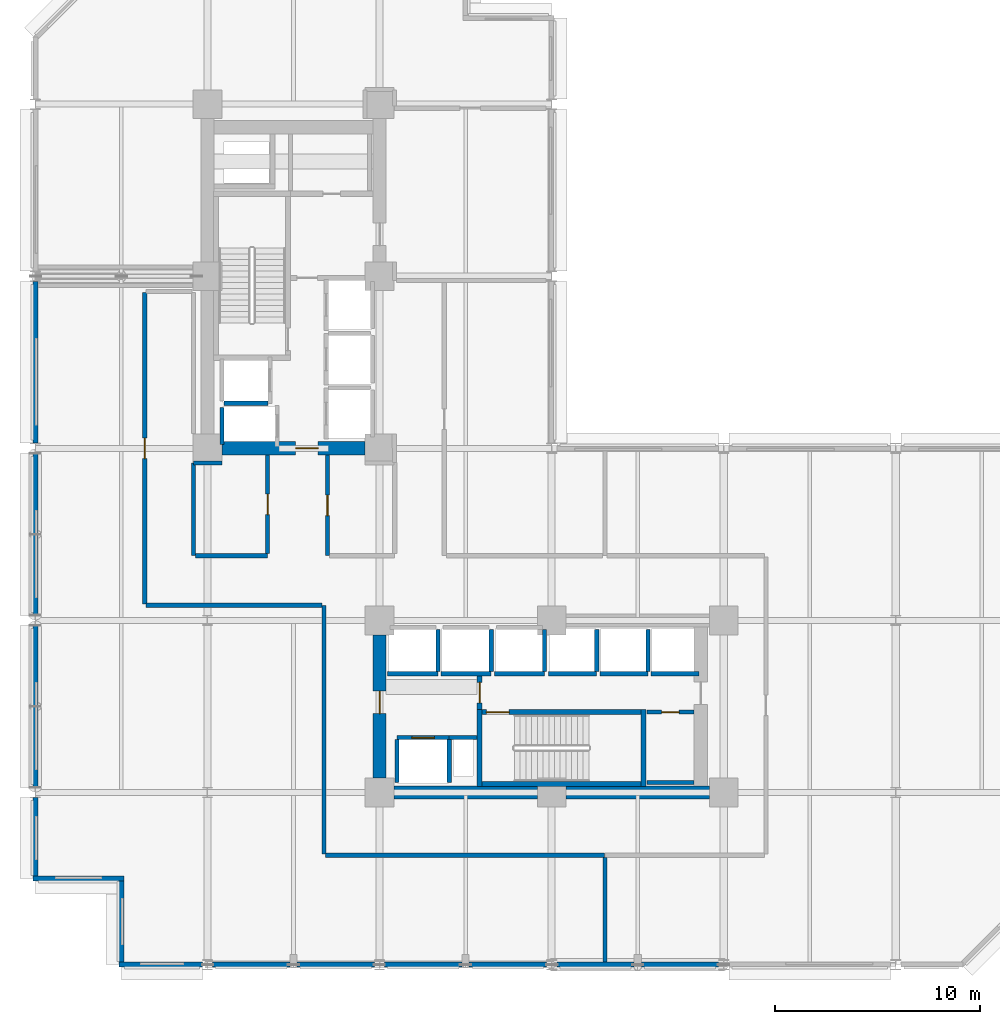
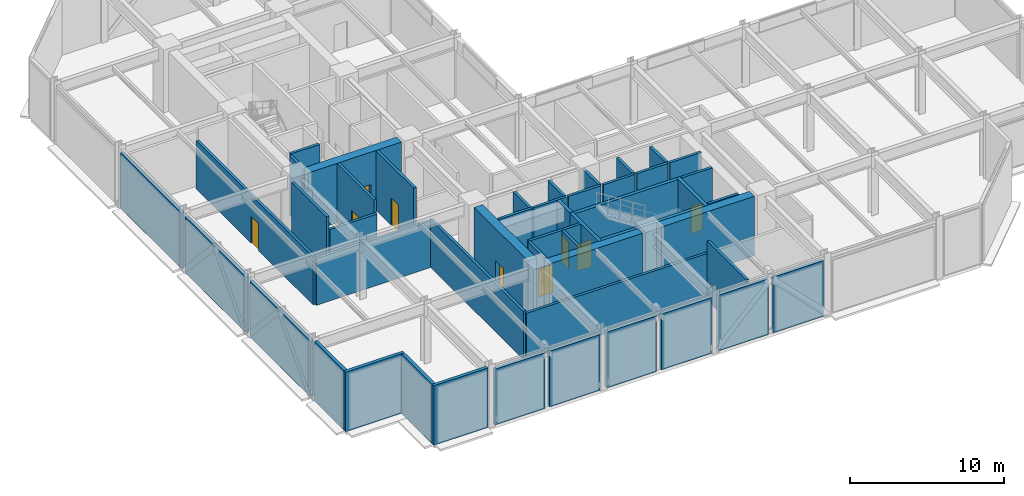
# One storey, part 7 of 13: 51 walls, 9 doors, 9 openings.
"""IFC4 building model written with IfcOpenShell, lengths in metres."""

from ifc_helpers import new_model, si_unit, direction, frame, frame_2d, origin, place, context, subcontext, project, spatial, rectangle, extrude, material, layer, layer_set, type_object, element, fill, save


model = new_model("IFC4")

# Units and contexts
model_context = context("Model", 3, precision=1e-05, world=origin(), true_north=direction((0.0, 1.0)))
body_context = subcontext(model_context, "Body", "Model", "MODEL_VIEW")
ifc_project = project(units=[si_unit("LENGTHUNIT", "METRE"), si_unit("AREAUNIT", "SQUARE_METRE"), si_unit("VOLUMEUNIT", "CUBIC_METRE"), si_unit("PLANEANGLEUNIT", "RADIAN"), si_unit("MASSUNIT", "GRAM", prefix="KILO")], contexts=[model_context])

# Site, building, storey
site_placement = place(None, origin())
site = spatial("IfcSite", under=ifc_project, at=site_placement, CompositionType="ELEMENT")
building_placement = place(site_placement, origin())
building = spatial("IfcBuilding", under=site, at=building_placement, Name="Nerrivon Quay Data Exchange", CompositionType="ELEMENT")
storey_placement = place(building_placement, frame((0.0, 0.0, 79.39990234375)))
storey = spatial("IfcBuildingStorey", under=building, at=storey_placement, Name="L18", CompositionType="ELEMENT", Elevation=79.39990234375)

# Walls
ifc_material_1 = material(Name="Architectural terracotta precast concrete N50 (50 MPa)", Category="masonry")
ifc_layer_1 = layer(ifc_material_1, 0.239990234375)
ifc_layer_set_1 = layer_set([ifc_layer_1], Name="Architectural terracotta precast concrete N50 (50 MPa)")
wall_type_1 = type_object("IfcWallType", Name="EW-PREC-240", PredefinedType="STANDARD", material=ifc_layer_set_1)
for number, where, z_axis, x_axis, name in (
    (1, (33.35009765625, 0.0, 0.0), (0.0, 0.0, 1.0), (-1.0, 0.0, 0.0), "L18 Plant Enclosure Wall 8"),
    (2, (29.22509765625, 0.0, 0.0), (0.0, 0.0, 1.0), (-1.0, 0.0, 0.0), "L18 Plant Enclosure Wall 9"),
):
    element("IfcWall", number, at=place(storey_placement, frame(where, z_axis=z_axis, x_axis=x_axis)), inside=storey, type_object=wall_type_1, Name=name, PredefinedType="STANDARD", context=body_context, shape_type="SweptSolid", body=[
        extrude(rectangle(XDim=3.775146484375, YDim=0.239990234375, at=frame_2d((1.8876953125, 0.0))), origin(), (0.0, 0.0, 1.0), 4.425048828125),
    ])
for number, where, z_axis, x_axis, name in (
    (3, (24.949951171875, 0.0, 0.0), (0.0, 0.0, 1.0), (-1.0, 0.0, 0.0), "L18 Plant Enclosure Wall 10"),
    (4, (20.824951171875, 0.0, 0.0), (0.0, 0.0, 1.0), (-1.0, 0.0, 0.0), "L18 Plant Enclosure Wall 11"),
):
    element("IfcWall", number, at=place(storey_placement, frame(where, z_axis=z_axis, x_axis=x_axis)), inside=storey, type_object=wall_type_1, Name=name, PredefinedType="STANDARD", context=body_context, shape_type="SweptSolid", body=[
        extrude(rectangle(XDim=3.77490234375, YDim=0.239990234375, at=frame_2d((1.887451171875, 0.0))), origin(), (0.0, 0.0, 1.0), 4.425048828125),
    ])
for number, where, z_axis, x_axis, name in (
    (5, (16.550048828125, 0.0, 0.0), (0.0, 0.0, 1.0), (-1.0, 0.0, 0.0), "L18 Plant Enclosure Wall 12"),
    (6, (12.425048828125, 0.0, 0.0), (0.0, 0.0, 1.0), (-1.0, 0.0, 0.0), "L18 Plant Enclosure Wall 13"),
):
    element("IfcWall", number, at=place(storey_placement, frame(where, z_axis=z_axis, x_axis=x_axis)), inside=storey, type_object=wall_type_1, Name=name, PredefinedType="STANDARD", context=body_context, shape_type="SweptSolid", body=[
        extrude(rectangle(XDim=3.775146484375, YDim=0.239990234375, at=frame_2d((1.8876953125, 0.0))), origin(), (0.0, 0.0, 1.0), 4.425048828125),
    ])
wall_1_placement = place(storey_placement, frame((8.14990234375, 0.0, 0.0), z_axis=(0.0, 0.0, 1.0), x_axis=(-1.0, 0.0, 0.0)))
element("IfcWall", 7, at=wall_1_placement, inside=storey, type_object=wall_type_1, Name="L18 Plant Enclosure Wall 14", PredefinedType="STANDARD", context=body_context, shape_type="SweptSolid", body=[
    extrude(rectangle(XDim=4.06982421875, YDim=0.239990234375, at=frame_2d((2.034912109375, 0.0))), origin(), (0.0, 0.0, 1.0), 4.72509765625),
])
wall_2_placement = place(storey_placement, frame((4.199951171875, 0.1201171875, 0.0), z_axis=(0.0, 0.0, 1.0), x_axis=(0.0, 1.0, 0.0)))
element("IfcWall", 8, at=wall_2_placement, inside=storey, type_object=wall_type_1, Name="L18 Plant Enclosure Wall 15", PredefinedType="STANDARD", context=body_context, shape_type="SweptSolid", body=[
    extrude(rectangle(XDim=3.9599609375, YDim=0.239990234375, at=frame_2d((1.97998046875, 0.0))), origin(), (0.0, 0.0, 1.0), 4.72509765625),
])
wall_3_placement = place(storey_placement, frame((4.320068359375, 4.199951171875, 0.0), z_axis=(0.0, 0.0, 1.0), x_axis=(-1.0, 0.0, 0.0)))
element("IfcWall", 9, at=wall_3_placement, inside=storey, type_object=wall_type_1, Name="L18 Plant Enclosure Wall 16", PredefinedType="STANDARD", context=body_context, shape_type="SweptSolid", body=[
    extrude(rectangle(XDim=4.440185546875, YDim=0.239990234375, at=frame_2d((2.22021484375, 0.0))), origin(), (0.0, 0.0, 1.0), 4.72509765625),
])
wall_4_placement = place(storey_placement, frame((0.0, 4.320068359375, 0.0), z_axis=(0.0, 0.0, 1.0), x_axis=(0.0, 1.0, 0.0)))
element("IfcWall", 10, at=wall_4_placement, inside=storey, type_object=wall_type_1, Name="L18 Plant Enclosure Wall 17", PredefinedType="STANDARD", context=body_context, shape_type="SweptSolid", body=[
    extrude(rectangle(XDim=3.829833984375, YDim=0.239990234375, at=frame_2d((1.9150390625, 0.0))), origin(), (0.0, 0.0, 1.0), 4.72509765625),
])
wall_5_placement = place(storey_placement, frame((0.0, 8.64990234375, 0.0), z_axis=(0.0, 0.0, 1.0), x_axis=(0.0, 1.0, 0.0)))
element("IfcWall", 11, at=wall_5_placement, inside=storey, type_object=wall_type_1, Name="L18 Plant Enclosure Wall 18", PredefinedType="STANDARD", context=body_context, shape_type="SweptSolid", body=[
    extrude(rectangle(XDim=7.900146484375, YDim=0.239990234375, at=frame_2d((3.9501953125, 0.0))), origin(), (0.0, 0.0, 1.0), 4.425048828125),
])
wall_6_placement = place(storey_placement, frame((0.0, 17.050048828125, 0.0), z_axis=(0.0, 0.0, 1.0), x_axis=(0.0, 1.0, 0.0)))
element("IfcWall", 12, at=wall_6_placement, inside=storey, type_object=wall_type_1, Name="L18 Plant Enclosure Wall 19", PredefinedType="STANDARD", context=body_context, shape_type="SweptSolid", body=[
    extrude(rectangle(XDim=7.89990234375, YDim=0.239990234375, at=frame_2d((3.949951171875, 0.0))), origin(), (0.0, 0.0, 1.0), 4.425048828125),
])
wall_7_placement = place(storey_placement, frame((0.0, 25.449951171875, 0.0), z_axis=(0.0, 0.0, 1.0), x_axis=(0.0, 1.0, 0.0)))
element("IfcWall", 13, at=wall_7_placement, inside=storey, type_object=wall_type_1, Name="L18 Plant Enclosure Wall 20", PredefinedType="STANDARD", context=body_context, shape_type="SweptSolid", body=[
    extrude(rectangle(XDim=7.900146484375, YDim=0.239990234375, at=frame_2d((3.9501953125, 0.0))), origin(), (0.0, 0.0, 1.0), 4.425048828125),
])

# Wall, opening, door
ifc_material_2 = material(Name="Concrete N80 (80 MPa)", Category="concrete")
ifc_layer_2 = layer(ifc_material_2, 0.64990234375)
ifc_layer_set_2 = layer_set([ifc_layer_2], Name="Concrete N80 (80 MPa)")
wall_type_2 = type_object("IfcWallType", Name="WALL-CW-850", PredefinedType="SHEAR", material=ifc_layer_set_2)
wall_8_placement = place(storey_placement, frame((9.10009765625, 25.199951171875, 0.0), z_axis=(0.0, 0.0, 1.0), x_axis=(1.0, 0.0, 0.0)))
wall_8 = element("IfcWall", 14, at=wall_8_placement, inside=storey, type_object=wall_type_2, Name="L18 West Split-Core Shear Wall WCW-S1", PredefinedType="SHEAR", context=body_context, shape_type="SweptSolid", body=[
    extrude(rectangle(XDim=7.0, YDim=0.64990234375, at=frame_2d((3.5, 0.0))), origin(), (0.0, 0.0, 1.0), 4.72509765625),
])
opening_1_placement = place(wall_8_placement, frame((3.60009765625, 0.0, 0.0)))
opening_1 = element("IfcOpeningElement", 15, at=opening_1_placement, cuts=wall_8, Name="Opening FD-120", PredefinedType="OPENING", context=body_context, shape_type="SweptSolid", body=[
    extrude(rectangle(XDim=1.10009765625, YDim=2.14990234375, at=frame_2d((0.550048828125, 1.074951171875))), frame((0.0, 0.3349609375, 0.0), z_axis=(0.0, -1.0, 0.0), x_axis=(1.0, 0.0, 0.0)), (0.0, 0.0, 1.0), 0.669921875),
])
ifc_material_3 = material(Name="Powder-coated galvanized steel sheet", Category="steel")
door_type_1 = type_object("IfcDoorType", Name="DR-FD120-1100", OperationType="NOTDEFINED", PredefinedType="DOOR", material=ifc_material_3)
door_1_placement = place(opening_1_placement, origin())
door_1 = element("IfcDoor", 16, at=door_1_placement, inside=storey, type_object=door_type_1, Name="L18 West Core Lobby Fire Door", OperationType="SINGLE_SWING_LEFT", OverallHeight=2.14990234375, OverallWidth=1.10009765625, PredefinedType="DOOR", context=body_context, shape_type="SweptSolid", body=[
    extrude(rectangle(XDim=1.10009765625, YDim=2.14990234375, at=frame_2d((0.550048828125, 1.074951171875))), frame((0.0, 0.02490234375, 0.0), z_axis=(0.0, -1.0, 0.0), x_axis=(1.0, 0.0, 0.0)), (0.0, 0.0, 1.0), 0.050048828125),
])
fill(opening_1, door_1)

# Walls
for number, where, z_axis, x_axis, name in (
    (17, (17.5, 8.39990234375, 0.0), (0.0, 0.0, 1.0), (1.0, 0.0, 0.0), "L18 East Split-Core Shear Wall ECW-S1"),
    (18, (25.89990234375, 8.39990234375, 0.0), (0.0, 0.0, 1.0), (1.0, 0.0, 0.0), "L18 East Split-Core Shear Wall ECW-S2"),
):
    element("IfcWall", number, at=place(storey_placement, frame(where, z_axis=z_axis, x_axis=x_axis)), inside=storey, type_object=wall_type_2, Name=name, PredefinedType="SHEAR", context=body_context, shape_type="SweptSolid", body=[
        extrude(rectangle(XDim=7.0, YDim=0.64990234375, at=frame_2d((3.5, 0.0))), origin(), (0.0, 0.0, 1.0), 4.72509765625),
    ])

# Wall, opening, door
wall_9_placement = place(storey_placement, frame((16.800048828125, 9.10009765625, 0.0), z_axis=(0.0, 0.0, 1.0), x_axis=(0.0, 1.0, 0.0)))
wall_9 = element("IfcWall", 19, at=wall_9_placement, inside=storey, type_object=wall_type_2, Name="L18 East Split-Core Shear Wall ECW-W1", PredefinedType="SHEAR", context=body_context, shape_type="SweptSolid", body=[
    extrude(rectangle(XDim=7.0, YDim=0.64990234375, at=frame_2d((3.5, 0.0))), origin(), (0.0, 0.0, 1.0), 4.72509765625),
])
opening_2_placement = place(wall_9_placement, frame((3.14990234375, 0.0, 0.0)))
opening_2 = element("IfcOpeningElement", 20, at=opening_2_placement, cuts=wall_9, Name="Opening FD-120", PredefinedType="OPENING", context=body_context, shape_type="SweptSolid", body=[
    extrude(rectangle(XDim=1.10009765625, YDim=2.14990234375, at=frame_2d((0.550048828125, 1.074951171875))), frame((0.0, 0.3349609375, 0.0), z_axis=(0.0, -1.0, 0.0), x_axis=(1.0, 0.0, 0.0)), (0.0, 0.0, 1.0), 0.669921875),
])
door_2_placement = place(opening_2_placement, origin())
door_2 = element("IfcDoor", 21, at=door_2_placement, inside=storey, type_object=door_type_1, Name="L18 East Core Lobby Fire Door", OperationType="SINGLE_SWING_LEFT", OverallHeight=2.14990234375, OverallWidth=1.10009765625, PredefinedType="DOOR", context=body_context, shape_type="SweptSolid", body=[
    extrude(rectangle(XDim=1.10009765625, YDim=2.14990234375, at=frame_2d((0.550048828125, 1.074951171875))), frame((0.0, 0.02490234375, 0.0), z_axis=(0.0, -1.0, 0.0), x_axis=(1.0, 0.0, 0.0)), (0.0, 0.0, 1.0), 0.050048828125),
])
fill(opening_2, door_2)

# Walls
ifc_material_4 = material(Name="Gypsum plasterboard on cold-formed framing", Category="gypsum")
ifc_layer_3 = layer(ifc_material_4, 0.199951171875)
ifc_layer_set_3 = layer_set([ifc_layer_3], Name="Gypsum plasterboard on cold-formed framing")
wall_type_3 = type_object("IfcWallType", Name="WALL-FW-200", PredefinedType="PARTITIONING", material=ifc_layer_set_3)
wall_10_placement = place(storey_placement, frame((20.199951171875, 11.080078125, 0.0), z_axis=(0.0, 0.0, 1.0), x_axis=(1.0, 0.0, 0.0)))
element("IfcWall", 22, at=wall_10_placement, inside=storey, type_object=wall_type_3, Name="L18 East Core MEP Riser Shaft Wall N", PredefinedType="PARTITIONING", context=body_context, shape_type="SweptSolid", body=[
    extrude(rectangle(XDim=1.35009765625, YDim=0.199951171875, at=frame_2d((0.675048828125, 0.0))), origin(), (0.0, 0.0, 1.0), 4.72509765625),
])
wall_11_placement = place(storey_placement, frame((9.199951171875, 27.39990234375, 0.0), z_axis=(0.0, 0.0, 1.0), x_axis=(1.0, 0.0, 0.0)))
element("IfcWall", 23, at=wall_11_placement, inside=storey, type_object=wall_type_3, Name="L18 Lift Shaft Wall FFL-1 SOUTH", PredefinedType="PARTITIONING", context=body_context, shape_type="SweptSolid", body=[
    extrude(rectangle(XDim=2.150146484375, YDim=0.199951171875, at=frame_2d((1.0751953125, 0.0))), origin(), (0.0, 0.0, 1.0), 4.72509765625),
])
wall_12_placement = place(storey_placement, frame((9.10009765625, 25.39990234375, 0.0), z_axis=(0.0, 0.0, 1.0), x_axis=(0.0, 1.0, 0.0)))
element("IfcWall", 24, at=wall_12_placement, inside=storey, type_object=wall_type_3, Name="L18 Lift Shaft Wall SVL-1 WEST", PredefinedType="PARTITIONING", context=body_context, shape_type="SweptSolid", body=[
    extrude(rectangle(XDim=1.800048828125, YDim=0.199951171875, at=frame_2d((0.89990234375, 0.0))), origin(), (0.0, 0.0, 1.0), 4.72509765625),
])

# Wall, opening, door
wall_13_placement = place(storey_placement, frame((17.64990234375, 11.080078125, 0.0), z_axis=(0.0, 0.0, 1.0), x_axis=(1.0, 0.0, 0.0)))
wall_13 = element("IfcWall", 25, at=wall_13_placement, inside=storey, type_object=wall_type_3, Name="L18 Lift Front Wall FFL-2", PredefinedType="PARTITIONING", context=body_context, shape_type="SweptSolid", body=[
    extrude(rectangle(XDim=2.550048828125, YDim=0.199951171875, at=frame_2d((1.27490234375, 0.0))), origin(), (0.0, 0.0, 1.0), 4.72509765625),
])
opening_3_placement = place(wall_13_placement, frame((0.72509765625, 0.0, 0.0)))
opening_3 = element("IfcOpeningElement", 26, at=opening_3_placement, cuts=wall_13, Name="Opening LD-120", PredefinedType="OPENING", context=body_context, shape_type="SweptSolid", body=[
    extrude(rectangle(XDim=1.10009765625, YDim=2.199951171875, at=frame_2d((0.550048828125, 1.10009765625))), frame((0.0, 0.10986328125, 0.0), z_axis=(0.0, -1.0, 0.0), x_axis=(1.0, 0.0, 0.0)), (0.0, 0.0, 1.0), 0.219970703125),
])
door_type_2 = type_object("IfcDoorType", Name="DR-LIFT-LD120", OperationType="DOUBLE_DOOR_SLIDING", PredefinedType="DOOR", material=ifc_material_3)
door_3_placement = place(opening_3_placement, origin())
door_3 = element("IfcDoor", 27, at=door_3_placement, inside=storey, type_object=door_type_2, Name="L18 Lift Landing Sliding Door FFL-2", OperationType="DOUBLE_DOOR_SLIDING", OverallHeight=2.199951171875, OverallWidth=1.10009765625, PredefinedType="DOOR", context=body_context, shape_type="SweptSolid", body=[
    extrude(rectangle(XDim=1.10009765625, YDim=2.199951171875, at=frame_2d((0.550048828125, 1.10009765625))), frame((0.0, 0.02490234375, 0.0), z_axis=(0.0, -1.0, 0.0), x_axis=(1.0, 0.0, 0.0)), (0.0, 0.0, 1.0), 0.050048828125),
])
fill(opening_3, door_3)

# Walls
for number, where, z_axis, x_axis, name in (
    (28, (20.199951171875, 8.8798828125, 0.0), (0.0, 0.0, 1.0), (0.0, 1.0, 0.0), "L18 Lift Shaft Wall FFL-2 EAST"),
    (29, (17.64990234375, 8.8798828125, 0.0), (0.0, 0.0, 1.0), (0.0, 1.0, 0.0), "L18 Lift Shaft Wall FFL-2 WEST"),
):
    element("IfcWall", number, at=place(storey_placement, frame(where, z_axis=z_axis, x_axis=x_axis)), inside=storey, type_object=wall_type_3, Name=name, PredefinedType="PARTITIONING", context=body_context, shape_type="SweptSolid", body=[
        extrude(rectangle(XDim=2.10009765625, YDim=0.199951171875, at=frame_2d((1.050048828125, 0.0))), origin(), (0.0, 0.0, 1.0), 4.72509765625),
    ])
wall_14_placement = place(storey_placement, frame((17.199951171875, 14.199951171875, 0.0), z_axis=(0.0, 0.0, 1.0), x_axis=(1.0, 0.0, 0.0)))
element("IfcWall", 30, at=wall_14_placement, inside=storey, type_object=wall_type_3, Name="L18 Lift Front Wall PL4", PredefinedType="PARTITIONING", context=body_context, shape_type="SweptSolid", body=[
    extrude(rectangle(XDim=2.449951171875, YDim=0.199951171875, at=frame_2d((1.22509765625, 0.0))), origin(), (0.0, 0.0, 1.0), 4.72509765625),
])
wall_15_placement = place(storey_placement, frame((19.64990234375, 14.300048828125, 0.0), z_axis=(0.0, 0.0, 1.0), x_axis=(0.0, 1.0, 0.0)))
element("IfcWall", 31, at=wall_15_placement, inside=storey, type_object=wall_type_3, Name="L18 Lift Shaft Wall PL4 EAST", PredefinedType="PARTITIONING", context=body_context, shape_type="SweptSolid", body=[
    extrude(rectangle(XDim=2.050048828125, YDim=0.199951171875, at=frame_2d((1.02490234375, 0.0))), origin(), (0.0, 0.0, 1.0), 4.72509765625),
])
wall_16_placement = place(storey_placement, frame((19.800048828125, 14.199951171875, 0.0), z_axis=(0.0, 0.0, 1.0), x_axis=(1.0, 0.0, 0.0)))
element("IfcWall", 32, at=wall_16_placement, inside=storey, type_object=wall_type_3, Name="L18 Lift Front Wall PL5", PredefinedType="PARTITIONING", context=body_context, shape_type="SweptSolid", body=[
    extrude(rectangle(XDim=2.449951171875, YDim=0.199951171875, at=frame_2d((1.22509765625, 0.0))), origin(), (0.0, 0.0, 1.0), 4.72509765625),
])
wall_17_placement = place(storey_placement, frame((22.25, 14.300048828125, 0.0), z_axis=(0.0, 0.0, 1.0), x_axis=(0.0, 1.0, 0.0)))
element("IfcWall", 33, at=wall_17_placement, inside=storey, type_object=wall_type_3, Name="L18 Lift Shaft Wall PL5 EAST", PredefinedType="PARTITIONING", context=body_context, shape_type="SweptSolid", body=[
    extrude(rectangle(XDim=2.050048828125, YDim=0.199951171875, at=frame_2d((1.02490234375, 0.0))), origin(), (0.0, 0.0, 1.0), 4.72509765625),
])
wall_18_placement = place(storey_placement, frame((22.39990234375, 14.199951171875, 0.0), z_axis=(0.0, 0.0, 1.0), x_axis=(1.0, 0.0, 0.0)))
element("IfcWall", 34, at=wall_18_placement, inside=storey, type_object=wall_type_3, Name="L18 Lift Front Wall PL6", PredefinedType="PARTITIONING", context=body_context, shape_type="SweptSolid", body=[
    extrude(rectangle(XDim=2.4501953125, YDim=0.199951171875, at=frame_2d((1.22509765625, 0.0))), origin(), (0.0, 0.0, 1.0), 4.72509765625),
])
wall_19_placement = place(storey_placement, frame((24.85009765625, 14.300048828125, 0.0), z_axis=(0.0, 0.0, 1.0), x_axis=(0.0, 1.0, 0.0)))
element("IfcWall", 35, at=wall_19_placement, inside=storey, type_object=wall_type_3, Name="L18 Lift Shaft Wall PL6 EAST", PredefinedType="PARTITIONING", context=body_context, shape_type="SweptSolid", body=[
    extrude(rectangle(XDim=2.050048828125, YDim=0.199951171875, at=frame_2d((1.02490234375, 0.0))), origin(), (0.0, 0.0, 1.0), 4.72509765625),
])
wall_20_placement = place(storey_placement, frame((25.050048828125, 14.199951171875, 0.0), z_axis=(0.0, 0.0, 1.0), x_axis=(1.0, 0.0, 0.0)))
element("IfcWall", 36, at=wall_20_placement, inside=storey, type_object=wall_type_3, Name="L18 Lift Front Wall PL7", PredefinedType="PARTITIONING", context=body_context, shape_type="SweptSolid", body=[
    extrude(rectangle(XDim=2.349853515625, YDim=0.199951171875, at=frame_2d((1.1748046875, 0.0))), origin(), (0.0, 0.0, 1.0), 4.72509765625),
])
wall_21_placement = place(storey_placement, frame((27.39990234375, 14.300048828125, 0.0), z_axis=(0.0, 0.0, 1.0), x_axis=(0.0, 1.0, 0.0)))
element("IfcWall", 37, at=wall_21_placement, inside=storey, type_object=wall_type_3, Name="L18 Lift Shaft Wall PL7 EAST", PredefinedType="PARTITIONING", context=body_context, shape_type="SweptSolid", body=[
    extrude(rectangle(XDim=2.050048828125, YDim=0.199951171875, at=frame_2d((1.02490234375, 0.0))), origin(), (0.0, 0.0, 1.0), 4.72509765625),
])
wall_22_placement = place(storey_placement, frame((27.550048828125, 14.199951171875, 0.0), z_axis=(0.0, 0.0, 1.0), x_axis=(1.0, 0.0, 0.0)))
element("IfcWall", 38, at=wall_22_placement, inside=storey, type_object=wall_type_3, Name="L18 Lift Front Wall PL8", PredefinedType="PARTITIONING", context=body_context, shape_type="SweptSolid", body=[
    extrude(rectangle(XDim=2.349853515625, YDim=0.199951171875, at=frame_2d((1.1748046875, 0.0))), origin(), (0.0, 0.0, 1.0), 4.72509765625),
])
wall_23_placement = place(storey_placement, frame((29.89990234375, 14.300048828125, 0.0), z_axis=(0.0, 0.0, 1.0), x_axis=(0.0, 1.0, 0.0)))
element("IfcWall", 39, at=wall_23_placement, inside=storey, type_object=wall_type_3, Name="L18 Lift Shaft Wall PL8 EAST", PredefinedType="PARTITIONING", context=body_context, shape_type="SweptSolid", body=[
    extrude(rectangle(XDim=2.050048828125, YDim=0.199951171875, at=frame_2d((1.02490234375, 0.0))), origin(), (0.0, 0.0, 1.0), 4.72509765625),
])
wall_24_placement = place(storey_placement, frame((30.050048828125, 14.199951171875, 0.0), z_axis=(0.0, 0.0, 1.0), x_axis=(1.0, 0.0, 0.0)))
element("IfcWall", 40, at=wall_24_placement, inside=storey, type_object=wall_type_3, Name="L18 Lift Front Wall PL9", PredefinedType="PARTITIONING", context=body_context, shape_type="SweptSolid", body=[
    extrude(rectangle(XDim=2.349853515625, YDim=0.199951171875, at=frame_2d((1.1748046875, 0.0))), origin(), (0.0, 0.0, 1.0), 4.72509765625),
])

# Wall, opening, door
wall_25_placement = place(storey_placement, frame((32.14599609375, 12.330078125, 0.0), z_axis=(0.0, 0.0, 1.0), x_axis=(-1.0, 0.0, 0.0)))
wall_25 = element("IfcWall", 41, at=wall_25_placement, inside=storey, type_object=wall_type_3, Name="L18 Partition East Telecom Closet", PredefinedType="PARTITIONING", context=body_context, shape_type="SweptSolid", body=[
    extrude(rectangle(XDim=2.2958984375, YDim=0.199951171875, at=frame_2d((1.14794921875, 0.0))), origin(), (0.0, 0.0, 1.0), 4.72509765625),
])
opening_4_placement = place(wall_25_placement, frame((0.722900390625, 0.0, 0.0)))
opening_4 = element("IfcOpeningElement", 42, at=opening_4_placement, cuts=wall_25, Name="Opening FD-60S", PredefinedType="OPENING", context=body_context, shape_type="SweptSolid", body=[
    extrude(rectangle(XDim=0.85009765625, YDim=2.14990234375, at=frame_2d((0.425048828125, 1.074951171875))), frame((0.0, 0.10986328125, 0.0), z_axis=(0.0, -1.0, 0.0), x_axis=(1.0, 0.0, 0.0)), (0.0, 0.0, 1.0), 0.219970703125),
])
ifc_material_5 = material(Name="Engineered hardwood timber", Category="wood")
door_type_3 = type_object("IfcDoorType", Name="DR-FD60-850", OperationType="NOTDEFINED", PredefinedType="DOOR", material=ifc_material_5)
door_4_placement = place(opening_4_placement, origin())
door_4 = element("IfcDoor", 43, at=door_4_placement, inside=storey, type_object=door_type_3, Name="L18 Door East Telecom Closet", OperationType="SINGLE_SWING_LEFT", OverallHeight=2.14990234375, OverallWidth=0.85009765625, PredefinedType="DOOR", context=body_context, shape_type="SweptSolid", body=[
    extrude(rectangle(XDim=0.85009765625, YDim=2.14990234375, at=frame_2d((0.425048828125, 1.074951171875))), frame((0.0, 0.02490234375, 0.0), z_axis=(0.0, -1.0, 0.0), x_axis=(1.0, 0.0, 0.0)), (0.0, 0.0, 1.0), 0.050048828125),
])
fill(opening_4, door_4)

# Walls
wall_26_placement = place(storey_placement, frame((29.85009765625, 8.89990234375, 0.0), z_axis=(0.0, 0.0, 1.0), x_axis=(1.0, 0.0, 0.0)))
element("IfcWall", 44, at=wall_26_placement, inside=storey, type_object=wall_type_3, Name="L18 Partition East Telecom Closet", PredefinedType="PARTITIONING", context=body_context, shape_type="SweptSolid", body=[
    extrude(rectangle(XDim=2.2958984375, YDim=0.199951171875, at=frame_2d((1.14794921875, 0.0))), origin(), (0.0, 0.0, 1.0), 4.72509765625),
])
wall_27_placement = place(storey_placement, frame((27.7958984375, 5.236083984375, 0.0), z_axis=(0.0, 0.0, 1.0), x_axis=(0.0, -1.0, 0.0)))
element("IfcWall", 45, at=wall_27_placement, inside=storey, type_object=wall_type_3, Name="L18 Partition Standby Generator Hall", PredefinedType="PARTITIONING", context=body_context, shape_type="SweptSolid", body=[
    extrude(rectangle(XDim=5.112060546875, YDim=0.199951171875, at=frame_2d((2.55615234375, 0.0))), origin(), (0.0, 0.0, 1.0), 4.72509765625),
])
wall_28_placement = place(storey_placement, frame((27.77587890625, 5.340087890625, 0.0), z_axis=(0.0, 0.0, 1.0), x_axis=(-1.0, 0.0, 0.0)))
element("IfcWall", 46, at=wall_28_placement, inside=storey, type_object=wall_type_3, Name="L18 Partition Chiller Plant Room", PredefinedType="PARTITIONING", context=body_context, shape_type="SweptSolid", body=[
    extrude(rectangle(XDim=13.6259765625, YDim=0.199951171875, at=frame_2d((6.81298828125, 0.0))), origin(), (0.0, 0.0, 1.0), 3.708984375),
])
wall_29_placement = place(storey_placement, frame((14.090087890625, 5.39990234375, 0.0), z_axis=(0.0, 0.0, 1.0), x_axis=(0.0, 1.0, 0.0)))
element("IfcWall", 47, at=wall_29_placement, inside=storey, type_object=wall_type_3, Name="L18 Partition Chiller Plant Room", PredefinedType="PARTITIONING", context=body_context, shape_type="SweptSolid", body=[
    extrude(rectangle(XDim=12.14013671875, YDim=0.199951171875, at=frame_2d((6.070068359375, 0.0))), origin(), (0.0, 0.0, 1.0), 3.8251953125),
])
wall_30_placement = place(storey_placement, frame((13.986083984375, 17.5400390625, 0.0), z_axis=(0.0, 0.0, 1.0), x_axis=(-1.0, 0.0, 0.0)))
element("IfcWall", 48, at=wall_30_placement, inside=storey, type_object=wall_type_3, Name="L18 Partition Chiller Plant Room", PredefinedType="PARTITIONING", context=body_context, shape_type="SweptSolid", body=[
    extrude(rectangle(XDim=8.586181640625, YDim=0.199951171875, at=frame_2d((4.29296875, 0.0))), origin(), (0.0, 0.0, 1.0), 3.708984375),
])

# Wall, opening, door
wall_31_placement = place(storey_placement, frame((5.340087890625, 17.60009765625, 0.0), z_axis=(0.0, 0.0, 1.0), x_axis=(0.0, 1.0, 0.0)))
wall_31 = element("IfcWall", 49, at=wall_31_placement, inside=storey, type_object=wall_type_3, Name="L18 Partition Chiller Plant Room", PredefinedType="PARTITIONING", context=body_context, shape_type="SweptSolid", body=[
    extrude(rectangle(XDim=15.199951171875, YDim=0.199951171875, at=frame_2d((7.60009765625, 0.0))), origin(), (0.0, 0.0, 1.0), 3.8251953125),
])
opening_5_placement = place(wall_31_placement, frame((7.10009765625, 0.0, 0.0)))
opening_5 = element("IfcOpeningElement", 50, at=opening_5_placement, cuts=wall_31, Name="Opening FD-60", PredefinedType="OPENING", context=body_context, shape_type="SweptSolid", body=[
    extrude(rectangle(XDim=1.0, YDim=2.14990234375, at=frame_2d((0.5, 1.074951171875))), frame((0.0, 0.10986328125, 0.0), z_axis=(0.0, -1.0, 0.0), x_axis=(1.0, 0.0, 0.0)), (0.0, 0.0, 1.0), 0.219970703125),
])
door_type_4 = type_object("IfcDoorType", Name="DR-FD60-1000", OperationType="NOTDEFINED", PredefinedType="DOOR", material=ifc_material_5)
door_5_placement = place(opening_5_placement, origin())
door_5 = element("IfcDoor", 51, at=door_5_placement, inside=storey, type_object=door_type_4, Name="L18 Door Chiller Plant Room", OperationType="SINGLE_SWING_LEFT", OverallHeight=2.14990234375, OverallWidth=1.0, PredefinedType="DOOR", context=body_context, shape_type="SweptSolid", body=[
    extrude(rectangle(XDim=1.0, YDim=2.14990234375, at=frame_2d((0.5, 1.074951171875))), frame((0.0, 0.02490234375, 0.0), z_axis=(0.0, -1.0, 0.0), x_axis=(1.0, 0.0, 0.0)), (0.0, 0.0, 1.0), 0.050048828125),
])
fill(opening_5, door_5)

# Walls
wall_32_placement = place(storey_placement, frame((9.105712890625, 24.48095703125, 0.0), z_axis=(0.0, 0.0, 1.0), x_axis=(-0.999999755233, -0.000699667487, 0.0)))
element("IfcWall", 52, at=wall_32_placement, inside=storey, type_object=wall_type_3, Name="L18 Partition Chiller Plant Room", PredefinedType="PARTITIONING", context=body_context, shape_type="SweptSolid", body=[
    extrude(rectangle(XDim=1.395751953125, YDim=0.199951171875, at=frame_2d((0.69775390625, 0.0))), origin(), (0.0, 0.0, 1.0), 3.708984375),
])
wall_33_placement = place(storey_placement, frame((7.7099609375, 24.47998046875, 0.0), z_axis=(0.0, 0.0, 1.0), x_axis=(0.0, -1.0, 0.0)))
element("IfcWall", 53, at=wall_33_placement, inside=storey, type_object=wall_type_3, Name="L18 Partition Chiller Plant Room", PredefinedType="PARTITIONING", context=body_context, shape_type="SweptSolid", body=[
    extrude(rectangle(XDim=4.52001953125, YDim=0.199951171875, at=frame_2d((2.260009765625, 0.0))), origin(), (0.0, 0.0, 1.0), 4.72509765625),
])
wall_34_placement = place(storey_placement, frame((7.81396484375, 19.9599609375, 0.0), z_axis=(0.0, 0.0, 1.0), x_axis=(1.0, 0.0, 0.0)))
element("IfcWall", 54, at=wall_34_placement, inside=storey, type_object=wall_type_3, Name="L18 Partition Chiller Plant Room", PredefinedType="PARTITIONING", context=body_context, shape_type="SweptSolid", body=[
    extrude(rectangle(XDim=3.526123046875, YDim=0.199951171875, at=frame_2d((1.76318359375, 0.0))), origin(), (0.0, 0.0, 1.0), 3.708984375),
])

# Wall, opening, door
wall_35_placement = place(storey_placement, frame((11.340087890625, 20.06396484375, 0.0), z_axis=(0.0, 0.0, 1.0), x_axis=(0.0, 1.0, 0.0)))
wall_35 = element("IfcWall", 55, at=wall_35_placement, inside=storey, type_object=wall_type_3, Name="L18 Partition Chiller Plant Room", PredefinedType="PARTITIONING", context=body_context, shape_type="SweptSolid", body=[
    extrude(rectangle(XDim=4.80712890625, YDim=0.199951171875, at=frame_2d((2.403564453125, 0.0))), origin(), (0.0, 0.0, 1.0), 4.72509765625),
])
opening_6_placement = place(wall_35_placement, frame((1.903564453125, 0.0, 0.0)))
opening_6 = element("IfcOpeningElement", 56, at=opening_6_placement, cuts=wall_35, Name="Opening FD-60", PredefinedType="OPENING", context=body_context, shape_type="SweptSolid", body=[
    extrude(rectangle(XDim=1.0, YDim=2.14990234375, at=frame_2d((0.5, 1.074951171875))), frame((0.0, 0.10986328125, 0.0), z_axis=(0.0, -1.0, 0.0), x_axis=(1.0, 0.0, 0.0)), (0.0, 0.0, 1.0), 0.219970703125),
])
door_6_placement = place(opening_6_placement, origin())
door_6 = element("IfcDoor", 57, at=door_6_placement, inside=storey, type_object=door_type_4, Name="L18 Door Chiller Plant Room", OperationType="SINGLE_SWING_RIGHT", OverallHeight=2.14990234375, OverallWidth=1.0, PredefinedType="DOOR", context=body_context, shape_type="SweptSolid", body=[
    extrude(rectangle(XDim=1.0, YDim=2.14990234375, at=frame_2d((0.5, 1.074951171875))), frame((0.0, 0.02490234375, 0.0), z_axis=(0.0, -1.0, 0.0), x_axis=(1.0, 0.0, 0.0)), (0.0, 0.0, 1.0), 0.050048828125),
])
fill(opening_6, door_6)

wall_36_placement = place(storey_placement, frame((14.260009765625, 24.87109375, 0.0), z_axis=(0.0, 0.0, 1.0), x_axis=(0.0, -1.0, 0.0)))
wall_36 = element("IfcWall", 58, at=wall_36_placement, inside=storey, type_object=wall_type_3, Name="L18 Partition HV Transformer Switchroom", PredefinedType="PARTITIONING", context=body_context, shape_type="SweptSolid", body=[
    extrude(rectangle(XDim=4.9111328125, YDim=0.199951171875, at=frame_2d((2.45556640625, 0.0))), origin(), (0.0, 0.0, 1.0), 4.72509765625),
])
opening_7_placement = place(wall_36_placement, frame((1.95556640625, 0.0, 0.0)))
opening_7 = element("IfcOpeningElement", 59, at=opening_7_placement, cuts=wall_36, Name="Opening FD-60", PredefinedType="OPENING", context=body_context, shape_type="SweptSolid", body=[
    extrude(rectangle(XDim=1.0, YDim=2.14990234375, at=frame_2d((0.5, 1.074951171875))), frame((0.0, 0.10986328125, 0.0), z_axis=(0.0, -1.0, 0.0), x_axis=(1.0, 0.0, 0.0)), (0.0, 0.0, 1.0), 0.219970703125),
])
door_7_placement = place(opening_7_placement, origin())
door_7 = element("IfcDoor", 60, at=door_7_placement, inside=storey, type_object=door_type_4, Name="L18 Door HV Transformer Switchroom", OperationType="SINGLE_SWING_LEFT", OverallHeight=2.14990234375, OverallWidth=1.0, PredefinedType="DOOR", context=body_context, shape_type="SweptSolid", body=[
    extrude(rectangle(XDim=1.0, YDim=2.14990234375, at=frame_2d((0.5, 1.074951171875))), frame((0.0, 0.02490234375, 0.0), z_axis=(0.0, -1.0, 0.0), x_axis=(1.0, 0.0, 0.0)), (0.0, 0.0, 1.0), 0.050048828125),
])
fill(opening_7, door_7)

# Walls
ifc_material_6 = material(Name="Concrete N50 (50 MPa)", Category="concrete")
ifc_layer_4 = layer(ifc_material_6, 0.25)
ifc_layer_set_4 = layer_set([ifc_layer_4], Name="Concrete N50 (50 MPa)")
wall_type_4 = type_object("IfcWallType", Name="WALL-SW-250", PredefinedType="SHEAR", material=ifc_layer_set_4)
for number, where, z_axis, x_axis, name in (
    (61, (21.675048828125, 8.699951171875, 0.0), (0.0, 0.0, 1.0), (0.0, 1.0, 0.0), "L18 ST02 Structural Stair Core Wall NEAR"),
    (62, (29.675048828125, 8.699951171875, 0.0), (0.0, 0.0, 1.0), (0.0, 1.0, 0.0), "L18 ST02 Structural Stair Core Wall FAR"),
):
    element("IfcWall", number, at=place(storey_placement, frame(where, z_axis=z_axis, x_axis=x_axis)), inside=storey, type_object=wall_type_4, Name=name, PredefinedType="SHEAR", context=body_context, shape_type="SweptSolid", body=[
        extrude(rectangle(XDim=3.75, YDim=0.25, at=frame_2d((1.875, 0.0))), origin(), (0.0, 0.0, 1.0), 4.72509765625),
    ])
wall_37_placement = place(storey_placement, frame((21.800048828125, 8.824951171875, 0.0), z_axis=(0.0, 0.0, 1.0), x_axis=(1.0, 0.0, 0.0)))
element("IfcWall", 63, at=wall_37_placement, inside=storey, type_object=wall_type_4, Name="L18 ST02 Structural Stair Core Wall LEFT", PredefinedType="SHEAR", context=body_context, shape_type="SweptSolid", body=[
    extrude(rectangle(XDim=7.75, YDim=0.25, at=frame_2d((3.875, 0.0))), origin(), (0.0, 0.0, 1.0), 4.72509765625),
])

# Wall, opening, door
wall_38_placement = place(storey_placement, frame((21.800048828125, 12.324951171875, 0.0), z_axis=(0.0, 0.0, 1.0), x_axis=(1.0, 0.0, 0.0)))
wall_38 = element("IfcWall", 64, at=wall_38_placement, inside=storey, type_object=wall_type_4, Name="L18 ST02 Structural Stair Core Wall RIGHT", PredefinedType="SHEAR", context=body_context, shape_type="SweptSolid", body=[
    extrude(rectangle(XDim=7.75, YDim=0.25, at=frame_2d((3.875, 0.0))), origin(), (0.0, 0.0, 1.0), 4.72509765625),
])
opening_8_placement = place(wall_38_placement, frame((0.219970703125, 0.0, 0.0)))
opening_8 = element("IfcOpeningElement", 65, at=opening_8_placement, cuts=wall_38, Name="Opening FD-120", PredefinedType="OPENING", context=body_context, shape_type="SweptSolid", body=[
    extrude(rectangle(XDim=1.10009765625, YDim=2.14990234375, at=frame_2d((0.550048828125, 1.074951171875))), frame((0.0, 0.135009765625, 0.0), z_axis=(0.0, -1.0, 0.0), x_axis=(1.0, 0.0, 0.0)), (0.0, 0.0, 1.0), 0.27001953125),
])
door_8_placement = place(opening_8_placement, origin())
door_8 = element("IfcDoor", 66, at=door_8_placement, inside=storey, type_object=door_type_1, Name="L18 Protected Stair Door ST02", OperationType="SINGLE_SWING_LEFT", OverallHeight=2.14990234375, OverallWidth=1.10009765625, PredefinedType="DOOR", context=body_context, shape_type="SweptSolid", body=[
    extrude(rectangle(XDim=1.10009765625, YDim=2.14990234375, at=frame_2d((0.550048828125, 1.074951171875))), frame((0.0, 0.02490234375, 0.0), z_axis=(0.0, -1.0, 0.0), x_axis=(1.0, 0.0, 0.0)), (0.0, 0.0, 1.0), 0.050048828125),
])
fill(opening_8, door_8)

wall_39_placement = place(storey_placement, frame((21.679931640625, 12.449951171875, 0.0), z_axis=(0.0, 0.0, 1.0), x_axis=(0.0, 1.0, 0.0)))
wall_39 = element("IfcWall", 67, at=wall_39_placement, inside=storey, type_object=wall_type_4, Name="L18 East Firefighting Lobby Wall", PredefinedType="SHEAR", context=body_context, shape_type="SweptSolid", body=[
    extrude(rectangle(XDim=1.650146484375, YDim=0.25, at=frame_2d((0.8251953125, 0.0))), origin(), (0.0, 0.0, 1.0), 4.72509765625),
])
opening_9_placement = place(wall_39_placement, frame((0.324951171875, 0.0, 0.0)))
opening_9 = element("IfcOpeningElement", 68, at=opening_9_placement, cuts=wall_39, Name="Opening FD-60", PredefinedType="OPENING", context=body_context, shape_type="SweptSolid", body=[
    extrude(rectangle(XDim=1.0, YDim=2.14990234375, at=frame_2d((0.5, 1.074951171875))), frame((0.0, 0.135009765625, 0.0), z_axis=(0.0, -1.0, 0.0), x_axis=(1.0, 0.0, 0.0)), (0.0, 0.0, 1.0), 0.27001953125),
])
door_9_placement = place(opening_9_placement, origin())
door_9 = element("IfcDoor", 69, at=door_9_placement, inside=storey, type_object=door_type_4, Name="L18 East Firefighting Lobby Fire Door", OperationType="SINGLE_SWING_LEFT", OverallHeight=2.14990234375, OverallWidth=1.0, PredefinedType="DOOR", context=body_context, shape_type="SweptSolid", body=[
    extrude(rectangle(XDim=1.0, YDim=2.14990234375, at=frame_2d((0.5, 1.074951171875))), frame((0.0, 0.02490234375, 0.0), z_axis=(0.0, -1.0, 0.0), x_axis=(1.0, 0.0, 0.0)), (0.0, 0.0, 1.0), 0.050048828125),
])
fill(opening_9, door_9)

save(model, "model.ifc")
